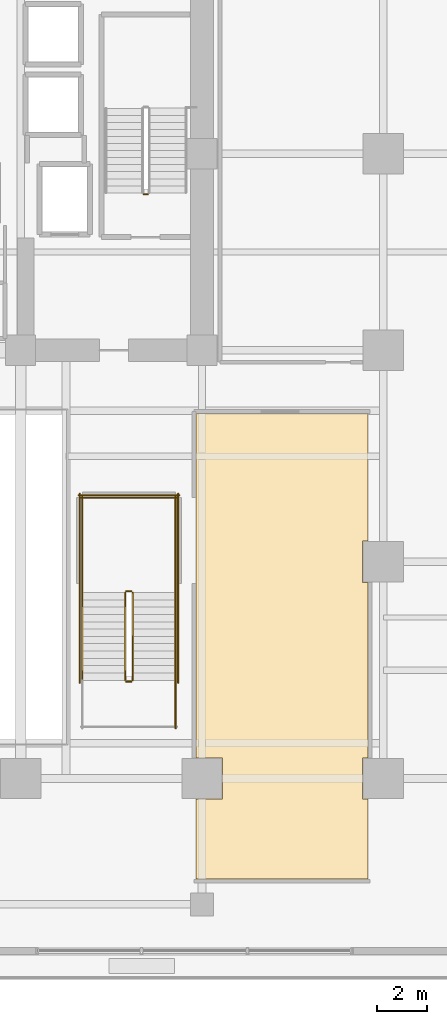
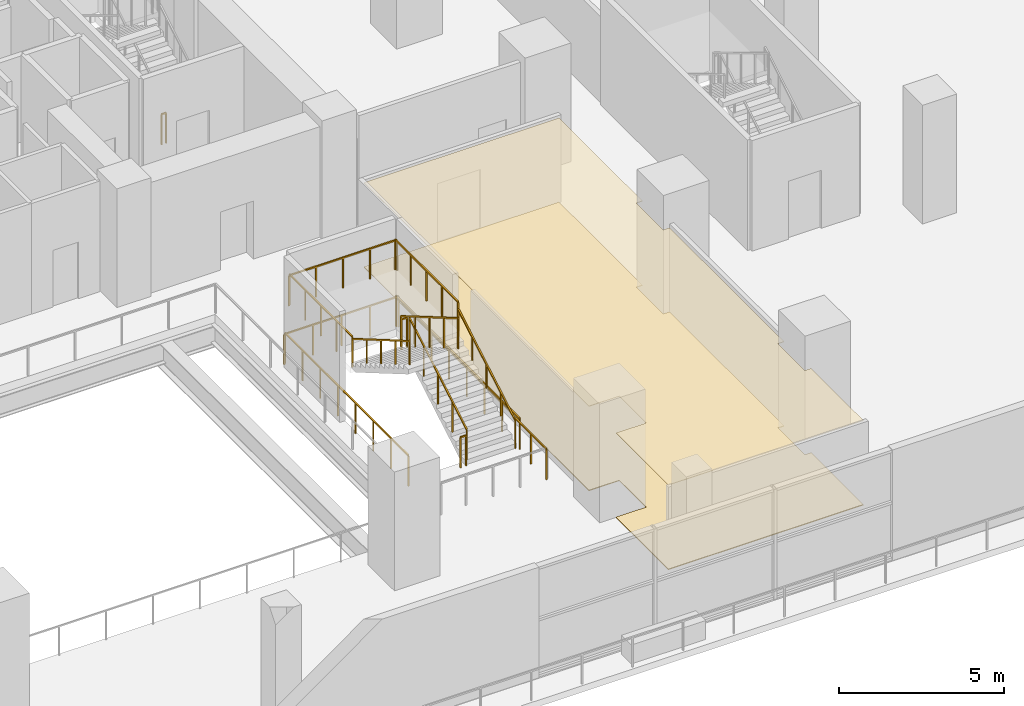
# One storey, part 18 of 21: 14 railings, 2 coverings.
"""IFC4 building model written with IfcOpenShell, lengths in metres."""

from ifc_helpers import new_model, si_unit, direction, frame, origin, origin_2d, place, context, subcontext, project, spatial, polyline, rectangle, outline, extrude, material, layer, layer_set, type_object, element, save


model = new_model("IFC4")

# Units and contexts
model_context = context("Model", 3, precision=1e-05, world=origin(), true_north=direction((0.0, 1.0)))
body_context = subcontext(model_context, "Body", "Model", "MODEL_VIEW")
ifc_project = project(units=[si_unit("LENGTHUNIT", "METRE"), si_unit("AREAUNIT", "SQUARE_METRE"), si_unit("VOLUMEUNIT", "CUBIC_METRE"), si_unit("PLANEANGLEUNIT", "RADIAN"), si_unit("MASSUNIT", "GRAM", prefix="KILO")], contexts=[model_context])

# Site, building, storey
site_placement = place(None, origin())
site = spatial("IfcSite", under=ifc_project, at=site_placement, CompositionType="ELEMENT")
building_placement = place(site_placement, origin())
building = spatial("IfcBuilding", under=site, at=building_placement, Name="Zarnakvel Exchange Tower", CompositionType="ELEMENT")
storey_placement = place(building_placement, frame((0.0, 0.0, 5.0)))
storey = spatial("IfcBuildingStorey", under=building, at=storey_placement, Name="L01", CompositionType="ELEMENT", Elevation=5.0)

# Coverings
ifc_material_1 = material(Name="Perforated Bronze Acoustic Metal Ceiling", Category="aluminium")
ifc_layer_1 = layer(ifc_material_1, 0.02001953125)
ifc_layer_set_1 = layer_set([ifc_layer_1], Name="Perforated Bronze Acoustic Metal Ceiling")
covering_type_1 = type_object("IfcCoveringType", Name="CLG-01", PredefinedType="CEILING", material=ifc_layer_set_1)
covering_1_placement = place(storey_placement, frame((0.0, 0.0, 3.1298828125)))
element("IfcCovering", 1, at=covering_1_placement, inside=storey, type_object=covering_type_1, Name="L01 Suspended Acoustic Ceiling (Issuer Listing Gallery)", PredefinedType="CEILING", context=body_context, shape_type="SweptSolid", body=[
    extrude(outline(polyline([(21.0, -3.7099609375), (21.0, -8.780029296875), (20.780029296875, -8.780029296875), (20.780029296875, -10.419921875), (21.0, -10.419921875), (21.0, -17.3798828125), (20.780029296875, -17.3798828125), (20.780029296875, -19.02001953125), (21.0, -19.02001953125), (21.0, -22.199951171875), (14.159912109375, -22.199951171875), (14.159912109375, -19.02001953125), (15.219970703125, -19.02001953125), (15.219970703125, -17.3798828125), (14.159912109375, -17.3798828125), (14.159912109375, -3.7099609375), (21.0, -3.7099609375)])), origin(), (0.0, 0.0, 1.0), 0.02001953125),
])
ifc_material_2 = material(Name="Honed Limestone & Turquoise Inlay Stone", Category="masonry")
ifc_layer_2 = layer(ifc_material_2, 0.030029296875)
ifc_layer_set_2 = layer_set([ifc_layer_2], Name="Honed Limestone & Turquoise Inlay Stone")
covering_type_2 = type_object("IfcCoveringType", Name="FLR-01", PredefinedType="FLOORING", material=ifc_layer_set_2)
covering_2_placement = place(storey_placement, origin())
element("IfcCovering", 2, at=covering_2_placement, inside=storey, type_object=covering_type_2, Name="L01 Floor Finish (Issuer Listing Gallery)", PredefinedType="FLOORING", context=body_context, shape_type="SweptSolid", body=[
    extrude(outline(polyline([(21.0, -3.7099609375), (21.0, -8.780029296875), (20.780029296875, -8.780029296875), (20.780029296875, -10.419921875), (21.0, -10.419921875), (21.0, -17.3798828125), (20.780029296875, -17.3798828125), (20.780029296875, -19.02001953125), (21.0, -19.02001953125), (21.0, -22.199951171875), (14.159912109375, -22.199951171875), (14.159912109375, -19.02001953125), (15.219970703125, -19.02001953125), (15.219970703125, -17.3798828125), (14.159912109375, -17.3798828125), (14.159912109375, -3.7099609375), (21.0, -3.7099609375)])), origin(), (0.0, 0.0, 1.0), 0.030029296875),
])

# Railings
ifc_material_3 = material(Name="Brushed Stainless Steel", Category="steel")
railing_type_1 = type_object("IfcRailingType", Name="HR-01", PredefinedType="HANDRAIL", material=ifc_material_3)
railing_1_placement = place(storey_placement, frame((13.35009765625, -14.300048828125, 0.169189453125)))
element("IfcRailing", 3, at=railing_1_placement, inside=storey, type_object=railing_type_1, Name="L01 ST-06 stair handrail 1", PredefinedType="HANDRAIL", context=body_context, shape_type="SweptSolid", body=[
    extrude(rectangle(XDim=0.048095703125, YDim=0.048095703125, at=origin_2d()), frame((0.0, 0.0, 0.8759765625), z_axis=(0.0, 0.863695377172, 0.504014181796), x_axis=(-1.0, 0.0, 0.0)), (0.0, 0.0, 1.0), 4.029296875),
    extrude(rectangle(XDim=0.0419921875, YDim=0.0419921875, at=origin_2d()), origin(), (0.0, 0.0, 1.0), 0.851806640625),
    extrude(rectangle(XDim=0.0419921875, YDim=0.0419921875, at=origin_2d()), frame((0.0, 0.8701171875, 0.5078125)), (0.0, 0.0, 1.0), 0.851806640625),
    extrude(rectangle(XDim=0.0419921875, YDim=0.0419921875, at=origin_2d()), frame((0.0, 1.739990234375, 1.015380859375)), (0.0, 0.0, 1.0), 0.851806640625),
    extrude(rectangle(XDim=0.0419921875, YDim=0.0419921875, at=origin_2d()), frame((0.0, 2.60986328125, 1.52294921875)), (0.0, 0.0, 1.0), 0.851806640625),
    extrude(rectangle(XDim=0.0419921875, YDim=0.0419921875, at=origin_2d()), frame((0.0, 3.47998046875, 2.03076171875)), (0.0, 0.0, 1.0), 0.851806640625),
])
railing_2_placement = place(storey_placement, frame((9.64990234375, -10.820068359375, 2.369140625)))
element("IfcRailing", 4, at=railing_2_placement, inside=storey, type_object=railing_type_1, Name="L01 ST-06 stair handrail 2", PredefinedType="HANDRAIL", context=body_context, shape_type="SweptSolid", body=[
    extrude(rectangle(XDim=0.048095703125, YDim=0.048095703125, at=origin_2d()), frame((0.0, 0.0, 0.8759765625), z_axis=(0.0, -0.863695377172, 0.504014181796), x_axis=(1.0, 0.0, 0.0)), (0.0, 0.0, 1.0), 4.029296875),
    extrude(rectangle(XDim=0.0419921875, YDim=0.0419921875, at=origin_2d()), origin(), (0.0, 0.0, 1.0), 0.851806640625),
    extrude(rectangle(XDim=0.0419921875, YDim=0.0419921875, at=origin_2d()), frame((0.0, -0.8701171875, 0.5078125)), (0.0, 0.0, 1.0), 0.851806640625),
    extrude(rectangle(XDim=0.0419921875, YDim=0.0419921875, at=origin_2d()), frame((0.0, -1.739990234375, 1.015380859375)), (0.0, 0.0, 1.0), 0.851806640625),
    extrude(rectangle(XDim=0.0419921875, YDim=0.0419921875, at=origin_2d()), frame((0.0, -2.60986328125, 1.52294921875)), (0.0, 0.0, 1.0), 0.851806640625),
    extrude(rectangle(XDim=0.0419921875, YDim=0.0419921875, at=origin_2d()), frame((0.0, -3.47998046875, 2.03076171875)), (0.0, 0.0, 1.0), 0.851806640625),
])
ifc_material_4 = material(Name="Architectural Bronze Anodised Aluminium", Category="aluminium")
railing_type_2 = type_object("IfcRailingType", Name="SG-01", PredefinedType="GUARDRAIL", material=ifc_material_4)
railing_3_placement = place(storey_placement, frame((12.25, 5.0, 0.0)))
element("IfcRailing", 5, at=railing_3_placement, inside=storey, type_object=railing_type_2, Name="L01 ST-02 stair guard 4", PredefinedType="GUARDRAIL", context=body_context, shape_type="SweptSolid", body=[
    extrude(rectangle(XDim=0.048095703125, YDim=0.048095703125, at=origin_2d()), frame((0.0, 0.0, 1.1259765625), z_axis=(-1.0, 0.0, 0.0), x_axis=(0.0, -1.0, 0.0)), (0.0, 0.0, 1.0), 0.159912109375),
    extrude(rectangle(XDim=0.0419921875, YDim=0.0419921875, at=origin_2d()), origin(), (0.0, 0.0, 1.0), 1.101806640625),
    extrude(rectangle(XDim=0.0419921875, YDim=0.0419921875, at=origin_2d()), frame((-0.159912109375, 0.0, 0.0)), (0.0, 0.0, 1.0), 1.101806640625),
])
railing_4_placement = place(storey_placement, frame((11.64990234375, -14.300048828125, 0.169189453125)))
element("IfcRailing", 6, at=railing_4_placement, inside=storey, type_object=railing_type_2, Name="L01 ST-06 stair guard 1", PredefinedType="GUARDRAIL", context=body_context, shape_type="SweptSolid", body=[
    extrude(rectangle(XDim=0.048095703125, YDim=0.048095703125, at=origin_2d()), frame((0.0, 0.0, 1.1259765625), z_axis=(0.0, 0.863695377172, 0.504014181796), x_axis=(-1.0, 0.0, 0.0)), (0.0, 0.0, 1.0), 4.029296875),
    extrude(rectangle(XDim=0.0419921875, YDim=0.0419921875, at=origin_2d()), origin(), (0.0, 0.0, 1.0), 1.101806640625),
    extrude(rectangle(XDim=0.0419921875, YDim=0.0419921875, at=origin_2d()), frame((0.0, 0.8701171875, 0.5078125)), (0.0, 0.0, 1.0), 1.101806640625),
    extrude(rectangle(XDim=0.0419921875, YDim=0.0419921875, at=origin_2d()), frame((0.0, 1.739990234375, 1.015380859375)), (0.0, 0.0, 1.0), 1.101806640625),
    extrude(rectangle(XDim=0.0419921875, YDim=0.0419921875, at=origin_2d()), frame((0.0, 2.60986328125, 1.52294921875)), (0.0, 0.0, 1.0), 1.101806640625),
    extrude(rectangle(XDim=0.0419921875, YDim=0.0419921875, at=origin_2d()), frame((0.0, 3.47998046875, 2.03076171875)), (0.0, 0.0, 1.0), 1.101806640625),
])
railing_5_placement = place(storey_placement, frame((11.60009765625, -10.77001953125, 2.199951171875)))
element("IfcRailing", 7, at=railing_5_placement, inside=storey, type_object=railing_type_2, Name="L01 ST-06 stair guard 2", PredefinedType="GUARDRAIL", context=body_context, shape_type="SweptSolid", body=[
    extrude(rectangle(XDim=0.048095703125, YDim=0.048095703125, at=origin_2d()), frame((0.0, 0.0, 1.1259765625), z_axis=(-1.0, 0.0, 0.0), x_axis=(0.0, -1.0, 0.0)), (0.0, 0.0, 1.0), 0.2001953125),
    extrude(rectangle(XDim=0.0419921875, YDim=0.0419921875, at=origin_2d()), origin(), (0.0, 0.0, 1.0), 1.101806640625),
    extrude(rectangle(XDim=0.0419921875, YDim=0.0419921875, at=origin_2d()), frame((-0.2001953125, 0.0, 0.0)), (0.0, 0.0, 1.0), 1.101806640625),
])
for number, where, name in (
    (8, (13.35009765625, -10.820068359375, 2.199951171875), "L01 ST-06 stair guard 3"),
    (9, (9.64990234375, -10.820068359375, 2.199951171875), "L01 ST-06 stair guard 4"),
):
    element("IfcRailing", number, at=place(storey_placement, frame(where)), inside=storey, type_object=railing_type_2, Name=name, PredefinedType="GUARDRAIL", context=body_context, shape_type="SweptSolid", body=[
        extrude(rectangle(XDim=0.048095703125, YDim=0.048095703125, at=origin_2d()), frame((0.0, 0.0, 1.1259765625), z_axis=(0.0, 1.0, 0.0), x_axis=(-1.0, 0.0, 0.0)), (0.0, 0.0, 1.0), 3.820068359375),
        extrude(rectangle(XDim=0.0419921875, YDim=0.0419921875, at=origin_2d()), origin(), (0.0, 0.0, 1.0), 1.101806640625),
        extrude(rectangle(XDim=0.0419921875, YDim=0.0419921875, at=origin_2d()), frame((0.0, 0.955078125, 0.0)), (0.0, 0.0, 1.0), 1.101806640625),
        extrude(rectangle(XDim=0.0419921875, YDim=0.0419921875, at=origin_2d()), frame((0.0, 1.91015625, 0.0)), (0.0, 0.0, 1.0), 1.101806640625),
        extrude(rectangle(XDim=0.0419921875, YDim=0.0419921875, at=origin_2d()), frame((0.0, 2.864990234375, 0.0)), (0.0, 0.0, 1.0), 1.101806640625),
        extrude(rectangle(XDim=0.0419921875, YDim=0.0419921875, at=origin_2d()), frame((0.0, 3.820068359375, 0.0)), (0.0, 0.0, 1.0), 1.101806640625),
    ])
railing_6_placement = place(storey_placement, frame((13.39990234375, -7.050048828125, 2.199951171875)))
element("IfcRailing", 10, at=railing_6_placement, inside=storey, type_object=railing_type_2, Name="L01 ST-06 stair guard 5", PredefinedType="GUARDRAIL", context=body_context, shape_type="SweptSolid", body=[
    extrude(rectangle(XDim=0.048095703125, YDim=0.048095703125, at=origin_2d()), frame((0.0, 0.0, 1.1259765625), z_axis=(-1.0, 0.0, 0.0), x_axis=(0.0, -1.0, 0.0)), (0.0, 0.0, 1.0), 3.7998046875),
    extrude(rectangle(XDim=0.0419921875, YDim=0.0419921875, at=origin_2d()), origin(), (0.0, 0.0, 1.0), 1.101806640625),
    extrude(rectangle(XDim=0.0419921875, YDim=0.0419921875, at=origin_2d()), frame((-0.949951171875, 0.0, 0.0)), (0.0, 0.0, 1.0), 1.101806640625),
    extrude(rectangle(XDim=0.0419921875, YDim=0.0419921875, at=origin_2d()), frame((-1.89990234375, 0.0, 0.0)), (0.0, 0.0, 1.0), 1.101806640625),
    extrude(rectangle(XDim=0.0419921875, YDim=0.0419921875, at=origin_2d()), frame((-2.849853515625, 0.0, 0.0)), (0.0, 0.0, 1.0), 1.101806640625),
    extrude(rectangle(XDim=0.0419921875, YDim=0.0419921875, at=origin_2d()), frame((-3.7998046875, 0.0, 0.0)), (0.0, 0.0, 1.0), 1.101806640625),
])
railing_7_placement = place(storey_placement, frame((11.35009765625, -10.820068359375, 2.369140625)))
element("IfcRailing", 11, at=railing_7_placement, inside=storey, type_object=railing_type_2, Name="L01 ST-06 stair guard 6", PredefinedType="GUARDRAIL", context=body_context, shape_type="SweptSolid", body=[
    extrude(rectangle(XDim=0.048095703125, YDim=0.048095703125, at=origin_2d()), frame((0.0, 0.0, 1.1259765625), z_axis=(0.0, -0.863695377172, 0.504014181796), x_axis=(1.0, 0.0, 0.0)), (0.0, 0.0, 1.0), 4.029296875),
    extrude(rectangle(XDim=0.0419921875, YDim=0.0419921875, at=origin_2d()), origin(), (0.0, 0.0, 1.0), 1.101806640625),
    extrude(rectangle(XDim=0.0419921875, YDim=0.0419921875, at=origin_2d()), frame((0.0, -0.8701171875, 0.5078125)), (0.0, 0.0, 1.0), 1.101806640625),
    extrude(rectangle(XDim=0.0419921875, YDim=0.0419921875, at=origin_2d()), frame((0.0, -1.739990234375, 1.015380859375)), (0.0, 0.0, 1.0), 1.101806640625),
    extrude(rectangle(XDim=0.0419921875, YDim=0.0419921875, at=origin_2d()), frame((0.0, -2.60986328125, 1.52294921875)), (0.0, 0.0, 1.0), 1.101806640625),
    extrude(rectangle(XDim=0.0419921875, YDim=0.0419921875, at=origin_2d()), frame((0.0, -3.47998046875, 2.03076171875)), (0.0, 0.0, 1.0), 1.101806640625),
])
railing_8_placement = place(storey_placement, frame((11.60009765625, -14.35009765625, 0.0)))
element("IfcRailing", 12, at=railing_8_placement, inside=storey, type_object=railing_type_2, Name="L01 ST-06 stair guard 7", PredefinedType="GUARDRAIL", context=body_context, shape_type="SweptSolid", body=[
    extrude(rectangle(XDim=0.048095703125, YDim=0.048095703125, at=origin_2d()), frame((0.0, 0.0, 1.1259765625), z_axis=(-1.0, 0.0, 0.0), x_axis=(0.0, -1.0, 0.0)), (0.0, 0.0, 1.0), 0.2001953125),
    extrude(rectangle(XDim=0.0419921875, YDim=0.0419921875, at=origin_2d()), origin(), (0.0, 0.0, 1.0), 1.101806640625),
    extrude(rectangle(XDim=0.0419921875, YDim=0.0419921875, at=origin_2d()), frame((-0.2001953125, 0.0, 0.0)), (0.0, 0.0, 1.0), 1.101806640625),
])
railing_9_placement = place(storey_placement, frame((13.35009765625, -16.199951171875, 0.0)))
element("IfcRailing", 13, at=railing_9_placement, inside=storey, type_object=railing_type_2, Name="L01 ST-06 stair guard 8", PredefinedType="GUARDRAIL", context=body_context, shape_type="SweptSolid", body=[
    extrude(rectangle(XDim=0.048095703125, YDim=0.048095703125, at=origin_2d()), frame((0.0, 0.0, 1.1259765625), z_axis=(0.0, 1.0, 0.0), x_axis=(-1.0, 0.0, 0.0)), (0.0, 0.0, 1.0), 1.89990234375),
    extrude(rectangle(XDim=0.0419921875, YDim=0.0419921875, at=origin_2d()), origin(), (0.0, 0.0, 1.0), 1.101806640625),
    extrude(rectangle(XDim=0.0419921875, YDim=0.0419921875, at=origin_2d()), frame((0.0, 0.949951171875, 0.0)), (0.0, 0.0, 1.0), 1.101806640625),
    extrude(rectangle(XDim=0.0419921875, YDim=0.0419921875, at=origin_2d()), frame((0.0, 1.89990234375, 0.0)), (0.0, 0.0, 1.0), 1.101806640625),
])
for number, where, name in (
    (14, (13.449951171875, -14.39990234375, 0.0), "L01 ST-06 stair guard 11"),
    (15, (9.550048828125, -14.39990234375, 0.0), "L01 ST-06 stair guard 12"),
):
    element("IfcRailing", number, at=place(storey_placement, frame(where)), inside=storey, type_object=railing_type_2, Name=name, PredefinedType="GUARDRAIL", context=body_context, shape_type="SweptSolid", body=[
        extrude(rectangle(XDim=0.048095703125, YDim=0.048095703125, at=origin_2d()), frame((0.0, 0.0, 1.1259765625), z_axis=(0.0, 1.0, 0.0), x_axis=(-1.0, 0.0, 0.0)), (0.0, 0.0, 1.0), 7.5),
        extrude(rectangle(XDim=0.0419921875, YDim=0.0419921875, at=origin_2d()), origin(), (0.0, 0.0, 1.0), 1.101806640625),
        extrude(rectangle(XDim=0.0419921875, YDim=0.0419921875, at=origin_2d()), frame((0.0, 1.071533203125, 0.0)), (0.0, 0.0, 1.0), 1.101806640625),
        extrude(rectangle(XDim=0.0419921875, YDim=0.0419921875, at=origin_2d()), frame((0.0, 2.142822265625, 0.0)), (0.0, 0.0, 1.0), 1.101806640625),
        extrude(rectangle(XDim=0.0419921875, YDim=0.0419921875, at=origin_2d()), frame((0.0, 3.21435546875, 0.0)), (0.0, 0.0, 1.0), 1.101806640625),
        extrude(rectangle(XDim=0.0419921875, YDim=0.0419921875, at=origin_2d()), frame((0.0, 4.28564453125, 0.0)), (0.0, 0.0, 1.0), 1.101806640625),
        extrude(rectangle(XDim=0.0419921875, YDim=0.0419921875, at=origin_2d()), frame((0.0, 5.357177734375, 0.0)), (0.0, 0.0, 1.0), 1.101806640625),
        extrude(rectangle(XDim=0.0419921875, YDim=0.0419921875, at=origin_2d()), frame((0.0, 6.428466796875, 0.0)), (0.0, 0.0, 1.0), 1.101806640625),
        extrude(rectangle(XDim=0.0419921875, YDim=0.0419921875, at=origin_2d()), frame((0.0, 7.5, 0.0)), (0.0, 0.0, 1.0), 1.101806640625),
    ])
railing_10_placement = place(storey_placement, frame((13.5, -6.949951171875, 0.0)))
element("IfcRailing", 16, at=railing_10_placement, inside=storey, type_object=railing_type_2, Name="L01 ST-06 stair guard 13", PredefinedType="GUARDRAIL", context=body_context, shape_type="SweptSolid", body=[
    extrude(rectangle(XDim=0.048095703125, YDim=0.048095703125, at=origin_2d()), frame((0.0, 0.0, 1.1259765625), z_axis=(-1.0, 0.0, 0.0), x_axis=(0.0, -1.0, 0.0)), (0.0, 0.0, 1.0), 4.0),
    extrude(rectangle(XDim=0.0419921875, YDim=0.0419921875, at=origin_2d()), origin(), (0.0, 0.0, 1.0), 1.101806640625),
    extrude(rectangle(XDim=0.0419921875, YDim=0.0419921875, at=origin_2d()), frame((-1.0, 0.0, 0.0)), (0.0, 0.0, 1.0), 1.101806640625),
    extrude(rectangle(XDim=0.0419921875, YDim=0.0419921875, at=origin_2d()), frame((-2.0, 0.0, 0.0)), (0.0, 0.0, 1.0), 1.101806640625),
    extrude(rectangle(XDim=0.0419921875, YDim=0.0419921875, at=origin_2d()), frame((-3.0, 0.0, 0.0)), (0.0, 0.0, 1.0), 1.101806640625),
    extrude(rectangle(XDim=0.0419921875, YDim=0.0419921875, at=origin_2d()), frame((-4.0, 0.0, 0.0)), (0.0, 0.0, 1.0), 1.101806640625),
])

save(model, "model.ifc")
